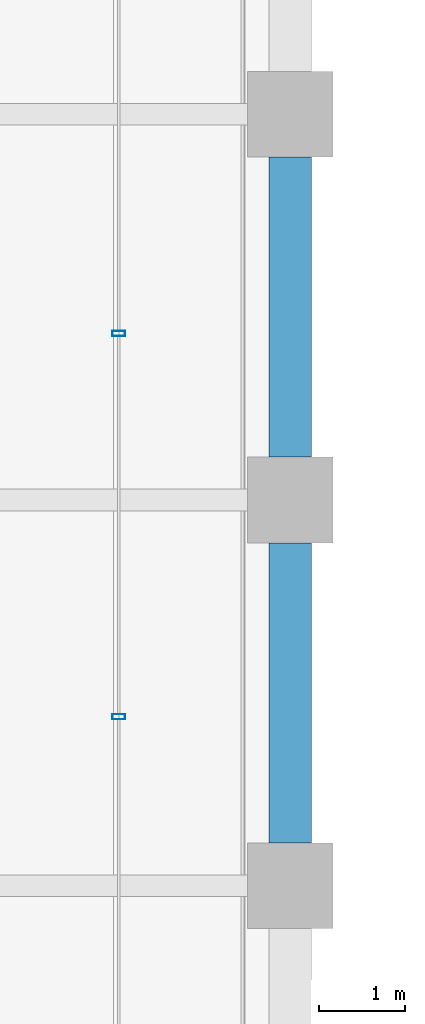
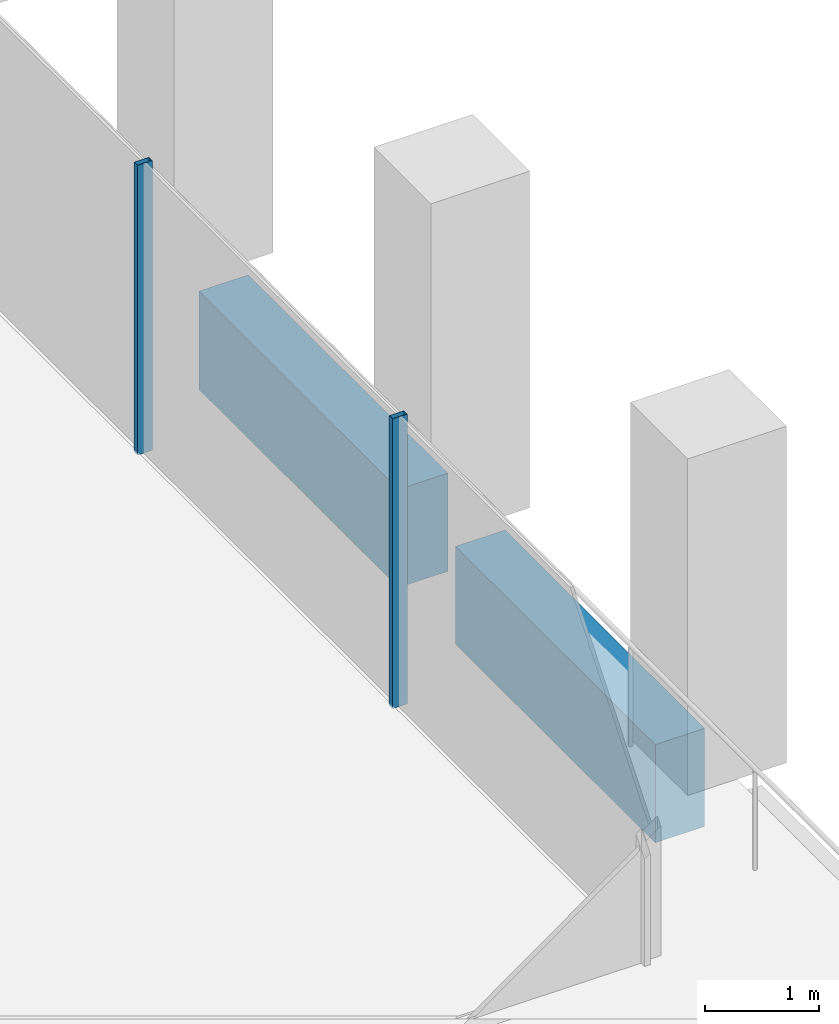
# One storey, part 15 of 46: 2 beams, 2 members, 1 element without a shape of its own.
"""IFC4 building model written with IfcOpenShell, lengths in metres."""

from ifc_helpers import new_model, si_unit, direction, frame, origin, origin_2d, place, context, subcontext, project, spatial, rectangle, hollow_rectangle, extrude, material, material_profile, profile_set, type_object, element, aggregate, save


model = new_model("IFC4")

# Units and contexts
model_context = context("Model", 3, precision=1e-05, world=origin(), true_north=direction((0.0, 1.0)))
body_context = subcontext(model_context, "Body", "Model", "MODEL_VIEW")
ifc_project = project(units=[si_unit("LENGTHUNIT", "METRE"), si_unit("AREAUNIT", "SQUARE_METRE"), si_unit("VOLUMEUNIT", "CUBIC_METRE"), si_unit("PLANEANGLEUNIT", "RADIAN"), si_unit("MASSUNIT", "GRAM", prefix="KILO")], contexts=[model_context])

# Site, building, storey
site_placement = place(None, origin())
site = spatial("IfcSite", under=ifc_project, at=site_placement, CompositionType="ELEMENT")
building_placement = place(site_placement, origin())
building = spatial("IfcBuilding", under=site, at=building_placement, Name="Altepetl Exchange Towers", CompositionType="ELEMENT")
storey_placement = place(building_placement, frame((0.0, 0.0, 120.800048828125)))
storey = spatial("IfcBuildingStorey", under=building, at=storey_placement, Name="L29", CompositionType="ELEMENT", Elevation=120.800048828125)

# Curtain wall, members
ifc_material_1 = material(Name="Aluminium 6063-T6 glazing", Category="aluminium")
curtain_wall_type = type_object("IfcCurtainWallType", Name="Loggia glazing system", PredefinedType="NOTDEFINED", material=ifc_material_1)
curtain_wall_placement = place(storey_placement, origin())
curtain_wall = element("IfcCurtainWall", 1, at=curtain_wall_placement, inside=storey, type_object=curtain_wall_type, Name="CW1 run", PredefinedType="NOTDEFINED")
ifc_material_2 = material(Name="Aluminium 6063-T6", Category="aluminium")
ifc_material_profile_1 = material_profile(ifc_material_2, hollow_rectangle(XDim=0.06005859375, YDim=0.14990234375, WallThickness=0.0029296875, at=origin_2d()), Name="Mullion 60x150 aluminium")
ifc_profile_set_1 = profile_set([ifc_material_profile_1], Name="Aluminium 6063-T6")
member_type = type_object("IfcMemberType", Name="Mullion 60x150 aluminium", PredefinedType="MULLION", material=ifc_profile_set_1)
member_1_placement = place(storey_placement, frame((70.0, 37.970947265625, 0.0), z_axis=(0.0, 0.0, 1.0), x_axis=(0.0, 1.0, 0.0)))
member_1 = element("IfcMember", 2, at=member_1_placement, type_object=member_type, Name="MU1 mullion", PredefinedType="MULLION", context=body_context, shape_type="SweptSolid", body=[
    extrude(hollow_rectangle(XDim=0.06005859375, YDim=0.14990234375, WallThickness=0.0029296875, at=origin_2d()), origin(), (0.0, 0.0, 1.0), 3.099853515625),
])
member_2_placement = place(storey_placement, frame((70.0, 42.44189453125, 0.0), z_axis=(0.0, 0.0, 1.0), x_axis=(0.0, 1.0, 0.0)))
member_2 = element("IfcMember", 3, at=member_2_placement, type_object=member_type, Name="MU1 mullion", PredefinedType="MULLION", context=body_context, shape_type="SweptSolid", body=[
    extrude(hollow_rectangle(XDim=0.06005859375, YDim=0.14990234375, WallThickness=0.0029296875, at=origin_2d()), origin(), (0.0, 0.0, 1.0), 3.099853515625),
])
aggregate(curtain_wall, [member_1, member_2])

# Beams
ifc_material_3 = material(Name="Concrete C50/60 precast with cantera amarilla facing", Category="concrete")
ifc_material_profile_2 = material_profile(ifc_material_3, rectangle(XDim=0.5, YDim=1.050048828125, at=origin_2d()), Name="500 x 1050")
ifc_profile_set_2 = profile_set([ifc_material_profile_2], Name="Concrete C50/60 precast with cantera amarilla facing")
beam_type = type_object("IfcBeamType", Name="Spandrel beam 500x1050 cantera amarilla", PredefinedType="SPANDREL", material=ifc_profile_set_2)
for number, where, z_axis, x_axis, name in (
    (4, (72.0, 36.5, -0.675048828125), (0.0, 1.0, 0.0), (-1.0, 0.0, 0.0), "sp:A:L29:013"),
    (5, (72.0, 41.0, -0.675048828125), (0.0, 1.0, 0.0), (-1.0, 0.0, 0.0), "sp:A:L29:014"),
):
    element("IfcBeam", number, at=place(storey_placement, frame(where, z_axis=z_axis, x_axis=x_axis)), inside=storey, type_object=beam_type, Name=name, PredefinedType="SPANDREL", context=body_context, shape_type="SweptSolid", body=[
        extrude(rectangle(XDim=0.5, YDim=1.050048828125, at=origin_2d()), origin(), (0.0, 0.0, 1.0), 3.5),
    ])

save(model, "model.ifc")
